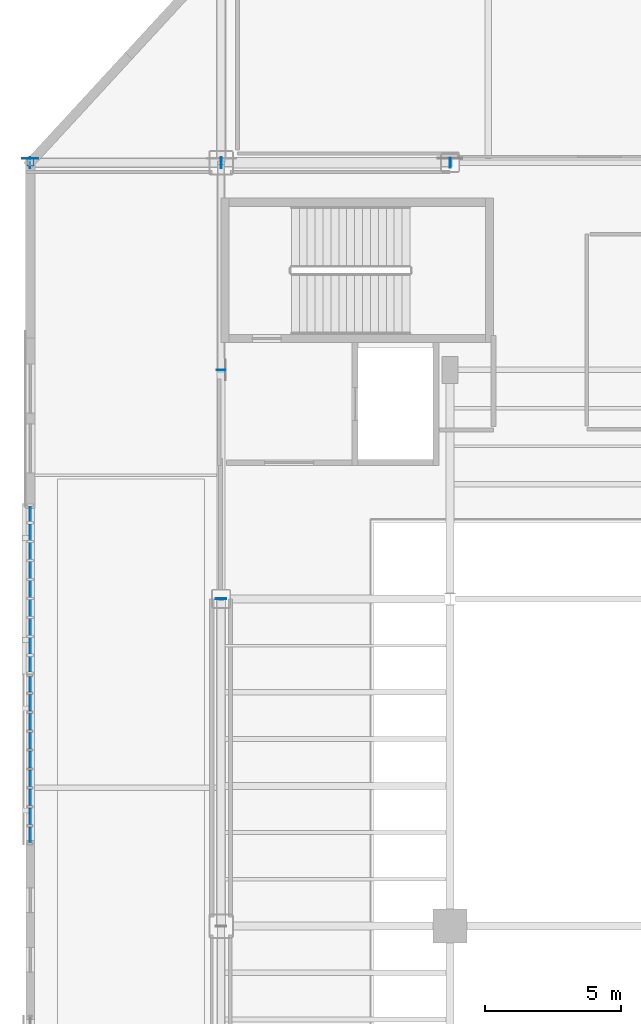
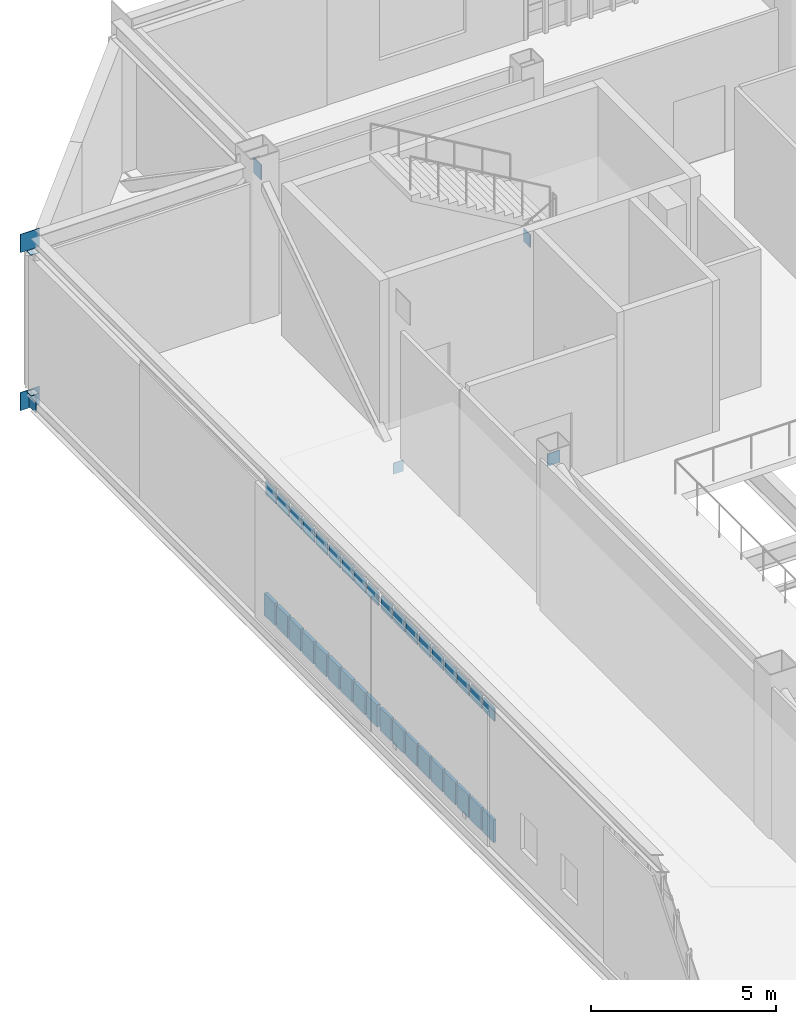
# One storey, part 96 of 127: 45 plates, 2 elements without a shape of their own.
"""IFC4 building model written with IfcOpenShell, lengths in metres."""

from ifc_helpers import new_model, si_unit, direction, frame, origin, origin_2d, place, context, subcontext, project, spatial, rectangle, extrude, material, layer, layer_set, type_object, element, aggregate, save


model = new_model("IFC4")

# Units and contexts
model_context = context("Model", 3, precision=1e-05, world=origin(), true_north=direction((0.0, 1.0)))
body_context = subcontext(model_context, "Body", "Model", "MODEL_VIEW")
ifc_project = project(units=[si_unit("LENGTHUNIT", "METRE"), si_unit("AREAUNIT", "SQUARE_METRE"), si_unit("VOLUMEUNIT", "CUBIC_METRE"), si_unit("PLANEANGLEUNIT", "RADIAN"), si_unit("MASSUNIT", "GRAM", prefix="KILO")], contexts=[model_context])

# Site, building, storey
site_placement = place(None, origin())
site = spatial("IfcSite", under=ifc_project, at=site_placement, CompositionType="ELEMENT")
building_placement = place(site_placement, origin())
building = spatial("IfcBuilding", under=site, at=building_placement, Name="Larkvane Passage Sports Hall", CompositionType="ELEMENT")
storey_placement = place(building_placement, frame((0.0, 0.0, 5.39990234375)))
storey = spatial("IfcBuildingStorey", under=building, at=storey_placement, Name="L01", CompositionType="ELEMENT", Elevation=5.39990234375)

# Curtain wall, plates
ifc_material_1 = material(Name="Thermally broken aluminium and low-E glazing", Category="aluminium")
curtain_wall_type_1 = type_object("IfcCurtainWallType", Name="CW-STICK-FOYER", PredefinedType="USERDEFINED", material=ifc_material_1)
curtain_wall_1_placement = place(storey_placement, origin())
curtain_wall_1 = element("IfcCurtainWall", 1, at=curtain_wall_1_placement, inside=storey, type_object=curtain_wall_type_1, Name="Curtain wall CW5-L01-038", ObjectType="STICK CURTAIN WALL", PredefinedType="USERDEFINED")
ifc_material_2 = material(Name="Fire-stopped shadow-box spandrel panel")
ifc_layer_1 = layer(ifc_material_2, 0.10498046875)
ifc_layer_set_1 = layer_set([ifc_layer_1], Name="Fire-stopped shadow-box spandrel panel")
plate_type_1 = type_object("IfcPlateType", Name="CWP-SPD-105", PredefinedType="CURTAIN_PANEL", material=ifc_layer_set_1)
plate_1_placement = place(storey_placement, frame((27.800048828125, 73.203857421875, 0.080078125), z_axis=(0.0, 0.0, 1.0), x_axis=(0.0, 1.0, 0.0)))
plate_1 = element("IfcPlate", 2, at=plate_1_placement, type_object=plate_type_1, Name="CW-03 panel 1.1", PredefinedType="CURTAIN_PANEL", context=body_context, shape_type="SweptSolid", body=[
    extrude(rectangle(XDim=0.574951171875, YDim=0.10498046875, at=origin_2d()), origin(), (0.0, 0.0, 1.0), 0.72998046875),
])
plate_2_placement = place(storey_placement, frame((27.800048828125, 73.87890625, 0.080078125), z_axis=(0.0, 0.0, 1.0), x_axis=(0.0, 1.0, 0.0)))
plate_2 = element("IfcPlate", 3, at=plate_2_placement, type_object=plate_type_1, Name="CW-03 panel 2.1", PredefinedType="CURTAIN_PANEL", context=body_context, shape_type="SweptSolid", body=[
    extrude(rectangle(XDim=0.614990234375, YDim=0.10498046875, at=origin_2d()), origin(), (0.0, 0.0, 1.0), 0.72998046875),
])
plate_3_placement = place(storey_placement, frame((27.800048828125, 74.57373046875, 0.080078125), z_axis=(0.0, 0.0, 1.0), x_axis=(0.0, 1.0, 0.0)))
plate_3 = element("IfcPlate", 4, at=plate_3_placement, type_object=plate_type_1, Name="CW-03 panel 3.1", PredefinedType="CURTAIN_PANEL", context=body_context, shape_type="SweptSolid", body=[
    extrude(rectangle(XDim=0.614990234375, YDim=0.10498046875, at=origin_2d()), origin(), (0.0, 0.0, 1.0), 0.72998046875),
])
plate_4_placement = place(storey_placement, frame((27.800048828125, 75.268798828125, 0.080078125), z_axis=(0.0, 0.0, 1.0), x_axis=(0.0, 1.0, 0.0)))
plate_4 = element("IfcPlate", 5, at=plate_4_placement, type_object=plate_type_1, Name="CW-03 panel 4.1", PredefinedType="CURTAIN_PANEL", context=body_context, shape_type="SweptSolid", body=[
    extrude(rectangle(XDim=0.614990234375, YDim=0.10498046875, at=origin_2d()), origin(), (0.0, 0.0, 1.0), 0.72998046875),
])
plate_5_placement = place(storey_placement, frame((27.800048828125, 75.963623046875, 0.080078125), z_axis=(0.0, 0.0, 1.0), x_axis=(0.0, 1.0, 0.0)))
plate_5 = element("IfcPlate", 6, at=plate_5_placement, type_object=plate_type_1, Name="CW-03 panel 5.1", PredefinedType="CURTAIN_PANEL", context=body_context, shape_type="SweptSolid", body=[
    extrude(rectangle(XDim=0.614990234375, YDim=0.10498046875, at=origin_2d()), origin(), (0.0, 0.0, 1.0), 0.72998046875),
])
plate_6_placement = place(storey_placement, frame((27.800048828125, 76.65869140625, 0.080078125), z_axis=(0.0, 0.0, 1.0), x_axis=(0.0, 1.0, 0.0)))
plate_6 = element("IfcPlate", 7, at=plate_6_placement, type_object=plate_type_1, Name="CW-03 panel 6.1", PredefinedType="CURTAIN_PANEL", context=body_context, shape_type="SweptSolid", body=[
    extrude(rectangle(XDim=0.614990234375, YDim=0.10498046875, at=origin_2d()), origin(), (0.0, 0.0, 1.0), 0.72998046875),
])
plate_7_placement = place(storey_placement, frame((27.800048828125, 77.353515625, 0.080078125), z_axis=(0.0, 0.0, 1.0), x_axis=(0.0, 1.0, 0.0)))
plate_7 = element("IfcPlate", 8, at=plate_7_placement, type_object=plate_type_1, Name="CW-03 panel 7.1", PredefinedType="CURTAIN_PANEL", context=body_context, shape_type="SweptSolid", body=[
    extrude(rectangle(XDim=0.614990234375, YDim=0.10498046875, at=origin_2d()), origin(), (0.0, 0.0, 1.0), 0.72998046875),
])
plate_8_placement = place(storey_placement, frame((27.800048828125, 78.048583984375, 0.080078125), z_axis=(0.0, 0.0, 1.0), x_axis=(0.0, 1.0, 0.0)))
plate_8 = element("IfcPlate", 9, at=plate_8_placement, type_object=plate_type_1, Name="CW-03 panel 8.1", PredefinedType="CURTAIN_PANEL", context=body_context, shape_type="SweptSolid", body=[
    extrude(rectangle(XDim=0.614990234375, YDim=0.10498046875, at=origin_2d()), origin(), (0.0, 0.0, 1.0), 0.72998046875),
])
plate_9_placement = place(storey_placement, frame((27.800048828125, 78.723388671875, 0.080078125), z_axis=(0.0, 0.0, 1.0), x_axis=(0.0, 1.0, 0.0)))
plate_9 = element("IfcPlate", 10, at=plate_9_placement, type_object=plate_type_1, Name="CW-03 panel 9.1", PredefinedType="CURTAIN_PANEL", context=body_context, shape_type="SweptSolid", body=[
    extrude(rectangle(XDim=0.574951171875, YDim=0.10498046875, at=origin_2d()), origin(), (0.0, 0.0, 1.0), 0.72998046875),
])

curtain_wall_type_2 = type_object("IfcCurtainWallType", Name="CW-UNIT-VEIL", PredefinedType="USERDEFINED", material=ifc_material_1)
curtain_wall_2_placement = place(storey_placement, origin())
curtain_wall_2 = element("IfcCurtainWall", 11, at=curtain_wall_2_placement, inside=storey, type_object=curtain_wall_type_2, Name="Curtain wall CW5-L01-037", ObjectType="UNITISED CURTAIN WALL", PredefinedType="USERDEFINED")
ifc_material_3 = material(Name="Mineral-wool insulated spandrel cassette")
ifc_layer_2 = layer(ifc_material_3, 0.0849609375)
ifc_layer_set_2 = layer_set([ifc_layer_2], Name="Mineral-wool insulated spandrel cassette")
plate_type_2 = type_object("IfcPlateType", Name="CWP-SPD-85", PredefinedType="CURTAIN_PANEL", material=ifc_layer_set_2)
plate_10_placement = place(storey_placement, frame((27.800048828125, 66.94677734375, 0.070068359375), z_axis=(0.0, 0.0, 1.0), x_axis=(0.0, 1.0, 0.0)))
plate_10 = element("IfcPlate", 12, at=plate_10_placement, type_object=plate_type_2, Name="CW-02 panel 1.1", PredefinedType="CURTAIN_PANEL", context=body_context, shape_type="SweptSolid", body=[
    extrude(rectangle(XDim=0.58984375, YDim=0.0849609375, at=origin_2d()), origin(), (0.0, 0.0, 1.0), 0.7451171875),
])
plate_11_placement = place(storey_placement, frame((27.800048828125, 67.624267578125, 0.070068359375), z_axis=(0.0, 0.0, 1.0), x_axis=(0.0, 1.0, 0.0)))
plate_11 = element("IfcPlate", 13, at=plate_11_placement, type_object=plate_type_2, Name="CW-02 panel 2.1", PredefinedType="CURTAIN_PANEL", context=body_context, shape_type="SweptSolid", body=[
    extrude(rectangle(XDim=0.625, YDim=0.0849609375, at=origin_2d()), origin(), (0.0, 0.0, 1.0), 0.7451171875),
])
plate_12_placement = place(storey_placement, frame((27.800048828125, 68.319091796875, 0.070068359375), z_axis=(0.0, 0.0, 1.0), x_axis=(0.0, 1.0, 0.0)))
plate_12 = element("IfcPlate", 14, at=plate_12_placement, type_object=plate_type_2, Name="CW-02 panel 3.1", PredefinedType="CURTAIN_PANEL", context=body_context, shape_type="SweptSolid", body=[
    extrude(rectangle(XDim=0.625, YDim=0.0849609375, at=origin_2d()), origin(), (0.0, 0.0, 1.0), 0.7451171875),
])
plate_13_placement = place(storey_placement, frame((27.800048828125, 69.01416015625, 0.070068359375), z_axis=(0.0, 0.0, 1.0), x_axis=(0.0, 1.0, 0.0)))
plate_13 = element("IfcPlate", 15, at=plate_13_placement, type_object=plate_type_2, Name="CW-02 panel 4.1", PredefinedType="CURTAIN_PANEL", context=body_context, shape_type="SweptSolid", body=[
    extrude(rectangle(XDim=0.625, YDim=0.0849609375, at=origin_2d()), origin(), (0.0, 0.0, 1.0), 0.7451171875),
])
plate_14_placement = place(storey_placement, frame((27.800048828125, 69.708984375, 0.070068359375), z_axis=(0.0, 0.0, 1.0), x_axis=(0.0, 1.0, 0.0)))
plate_14 = element("IfcPlate", 16, at=plate_14_placement, type_object=plate_type_2, Name="CW-02 panel 5.1", PredefinedType="CURTAIN_PANEL", context=body_context, shape_type="SweptSolid", body=[
    extrude(rectangle(XDim=0.625, YDim=0.0849609375, at=origin_2d()), origin(), (0.0, 0.0, 1.0), 0.7451171875),
])
plate_15_placement = place(storey_placement, frame((27.800048828125, 70.404052734375, 0.070068359375), z_axis=(0.0, 0.0, 1.0), x_axis=(0.0, 1.0, 0.0)))
plate_15 = element("IfcPlate", 17, at=plate_15_placement, type_object=plate_type_2, Name="CW-02 panel 6.1", PredefinedType="CURTAIN_PANEL", context=body_context, shape_type="SweptSolid", body=[
    extrude(rectangle(XDim=0.625, YDim=0.0849609375, at=origin_2d()), origin(), (0.0, 0.0, 1.0), 0.7451171875),
])
plate_16_placement = place(storey_placement, frame((27.800048828125, 71.09912109375, 0.070068359375), z_axis=(0.0, 0.0, 1.0), x_axis=(0.0, 1.0, 0.0)))
plate_16 = element("IfcPlate", 18, at=plate_16_placement, type_object=plate_type_2, Name="CW-02 panel 7.1", PredefinedType="CURTAIN_PANEL", context=body_context, shape_type="SweptSolid", body=[
    extrude(rectangle(XDim=0.625, YDim=0.0849609375, at=origin_2d()), origin(), (0.0, 0.0, 1.0), 0.7451171875),
])
plate_17_placement = place(storey_placement, frame((27.800048828125, 71.7939453125, 0.070068359375), z_axis=(0.0, 0.0, 1.0), x_axis=(0.0, 1.0, 0.0)))
plate_17 = element("IfcPlate", 19, at=plate_17_placement, type_object=plate_type_2, Name="CW-02 panel 8.1", PredefinedType="CURTAIN_PANEL", context=body_context, shape_type="SweptSolid", body=[
    extrude(rectangle(XDim=0.625, YDim=0.0849609375, at=origin_2d()), origin(), (0.0, 0.0, 1.0), 0.7451171875),
])
plate_18_placement = place(storey_placement, frame((27.800048828125, 72.471435546875, 0.070068359375), z_axis=(0.0, 0.0, 1.0), x_axis=(0.0, 1.0, 0.0)))
plate_18 = element("IfcPlate", 20, at=plate_18_placement, type_object=plate_type_2, Name="CW-02 panel 9.1", PredefinedType="CURTAIN_PANEL", context=body_context, shape_type="SweptSolid", body=[
    extrude(rectangle(XDim=0.58984375, YDim=0.0849609375, at=origin_2d()), origin(), (0.0, 0.0, 1.0), 0.7451171875),
])
ifc_material_4 = material(Name="Laminated acoustic low-E glazing", Category="glass")
ifc_layer_3 = layer(ifc_material_4, 0.031982421875)
ifc_layer_set_3 = layer_set([ifc_layer_3], Name="Laminated acoustic low-E glazing")
plate_type_3 = type_object("IfcPlateType", Name="CWP-VIS-32", PredefinedType="CURTAIN_PANEL", material=ifc_layer_set_3)
plate_19_placement = place(storey_placement, frame((27.800048828125, 66.94677734375, 4.06298828125), z_axis=(0.0, 0.0, 1.0), x_axis=(0.0, 1.0, 0.0)))
plate_19 = element("IfcPlate", 21, at=plate_19_placement, type_object=plate_type_3, Name="CW-02 panel 1.3", PredefinedType="CURTAIN_PANEL", context=body_context, shape_type="SweptSolid", body=[
    extrude(rectangle(XDim=0.58984375, YDim=0.031982421875, at=origin_2d()), origin(), (0.0, 0.0, 1.0), 0.445068359375),
])
plate_20_placement = place(storey_placement, frame((27.800048828125, 67.624267578125, 4.06298828125), z_axis=(0.0, 0.0, 1.0), x_axis=(0.0, 1.0, 0.0)))
plate_20 = element("IfcPlate", 22, at=plate_20_placement, type_object=plate_type_3, Name="CW-02 panel 2.3", PredefinedType="CURTAIN_PANEL", context=body_context, shape_type="SweptSolid", body=[
    extrude(rectangle(XDim=0.625, YDim=0.031982421875, at=origin_2d()), origin(), (0.0, 0.0, 1.0), 0.445068359375),
])
plate_21_placement = place(storey_placement, frame((27.800048828125, 68.319091796875, 4.06298828125), z_axis=(0.0, 0.0, 1.0), x_axis=(0.0, 1.0, 0.0)))
plate_21 = element("IfcPlate", 23, at=plate_21_placement, type_object=plate_type_3, Name="CW-02 panel 3.3", PredefinedType="CURTAIN_PANEL", context=body_context, shape_type="SweptSolid", body=[
    extrude(rectangle(XDim=0.625, YDim=0.031982421875, at=origin_2d()), origin(), (0.0, 0.0, 1.0), 0.445068359375),
])
plate_22_placement = place(storey_placement, frame((27.800048828125, 69.01416015625, 4.06298828125), z_axis=(0.0, 0.0, 1.0), x_axis=(0.0, 1.0, 0.0)))
plate_22 = element("IfcPlate", 24, at=plate_22_placement, type_object=plate_type_3, Name="CW-02 panel 4.3", PredefinedType="CURTAIN_PANEL", context=body_context, shape_type="SweptSolid", body=[
    extrude(rectangle(XDim=0.625, YDim=0.031982421875, at=origin_2d()), origin(), (0.0, 0.0, 1.0), 0.445068359375),
])
plate_23_placement = place(storey_placement, frame((27.800048828125, 69.708984375, 4.06298828125), z_axis=(0.0, 0.0, 1.0), x_axis=(0.0, 1.0, 0.0)))
plate_23 = element("IfcPlate", 25, at=plate_23_placement, type_object=plate_type_3, Name="CW-02 panel 5.3", PredefinedType="CURTAIN_PANEL", context=body_context, shape_type="SweptSolid", body=[
    extrude(rectangle(XDim=0.625, YDim=0.031982421875, at=origin_2d()), origin(), (0.0, 0.0, 1.0), 0.445068359375),
])
plate_24_placement = place(storey_placement, frame((27.800048828125, 70.404052734375, 4.06298828125), z_axis=(0.0, 0.0, 1.0), x_axis=(0.0, 1.0, 0.0)))
plate_24 = element("IfcPlate", 26, at=plate_24_placement, type_object=plate_type_3, Name="CW-02 panel 6.3", PredefinedType="CURTAIN_PANEL", context=body_context, shape_type="SweptSolid", body=[
    extrude(rectangle(XDim=0.625, YDim=0.031982421875, at=origin_2d()), origin(), (0.0, 0.0, 1.0), 0.445068359375),
])
plate_25_placement = place(storey_placement, frame((27.800048828125, 71.09912109375, 4.06298828125), z_axis=(0.0, 0.0, 1.0), x_axis=(0.0, 1.0, 0.0)))
plate_25 = element("IfcPlate", 27, at=plate_25_placement, type_object=plate_type_3, Name="CW-02 panel 7.3", PredefinedType="CURTAIN_PANEL", context=body_context, shape_type="SweptSolid", body=[
    extrude(rectangle(XDim=0.625, YDim=0.031982421875, at=origin_2d()), origin(), (0.0, 0.0, 1.0), 0.445068359375),
])
plate_26_placement = place(storey_placement, frame((27.800048828125, 71.7939453125, 4.06298828125), z_axis=(0.0, 0.0, 1.0), x_axis=(0.0, 1.0, 0.0)))
plate_26 = element("IfcPlate", 28, at=plate_26_placement, type_object=plate_type_3, Name="CW-02 panel 8.3", PredefinedType="CURTAIN_PANEL", context=body_context, shape_type="SweptSolid", body=[
    extrude(rectangle(XDim=0.625, YDim=0.031982421875, at=origin_2d()), origin(), (0.0, 0.0, 1.0), 0.445068359375),
])
plate_27_placement = place(storey_placement, frame((27.800048828125, 72.471435546875, 4.06298828125), z_axis=(0.0, 0.0, 1.0), x_axis=(0.0, 1.0, 0.0)))
plate_27 = element("IfcPlate", 29, at=plate_27_placement, type_object=plate_type_3, Name="CW-02 panel 9.3", PredefinedType="CURTAIN_PANEL", context=body_context, shape_type="SweptSolid", body=[
    extrude(rectangle(XDim=0.58984375, YDim=0.031982421875, at=origin_2d()), origin(), (0.0, 0.0, 1.0), 0.445068359375),
])
aggregate(curtain_wall_2, [plate_10, plate_19, plate_11, plate_20, plate_12, plate_21, plate_13, plate_22, plate_14, plate_23, plate_15, plate_24, plate_16, plate_25, plate_17, plate_26, plate_18, plate_27])

# Plate
ifc_material_5 = material(Name="High-impact court low-E glazing", Category="glass")
ifc_layer_4 = layer(ifc_material_5, 0.035888671875)
ifc_layer_set_4 = layer_set([ifc_layer_4], Name="High-impact court low-E glazing")
plate_type_4 = type_object("IfcPlateType", Name="CWP-VIS-36", PredefinedType="CURTAIN_PANEL", material=ifc_layer_set_4)
plate_28_placement = place(storey_placement, frame((27.800048828125, 73.203857421875, 4.068359375), z_axis=(0.0, 0.0, 1.0), x_axis=(0.0, 1.0, 0.0)))
plate_28 = element("IfcPlate", 30, at=plate_28_placement, type_object=plate_type_4, Name="CW-03 panel 1.3", PredefinedType="CURTAIN_PANEL", context=body_context, shape_type="SweptSolid", body=[
    extrude(rectangle(XDim=0.574951171875, YDim=0.035888671875, at=origin_2d()), origin(), (0.0, 0.0, 1.0), 0.429931640625),
])

plate_29_placement = place(storey_placement, frame((27.800048828125, 73.87890625, 4.068359375), z_axis=(0.0, 0.0, 1.0), x_axis=(0.0, 1.0, 0.0)))
plate_29 = element("IfcPlate", 31, at=plate_29_placement, type_object=plate_type_4, Name="CW-03 panel 2.3", PredefinedType="CURTAIN_PANEL", context=body_context, shape_type="SweptSolid", body=[
    extrude(rectangle(XDim=0.614990234375, YDim=0.035888671875, at=origin_2d()), origin(), (0.0, 0.0, 1.0), 0.429931640625),
])

plate_30_placement = place(storey_placement, frame((27.800048828125, 74.57373046875, 4.068359375), z_axis=(0.0, 0.0, 1.0), x_axis=(0.0, 1.0, 0.0)))
plate_30 = element("IfcPlate", 32, at=plate_30_placement, type_object=plate_type_4, Name="CW-03 panel 3.3", PredefinedType="CURTAIN_PANEL", context=body_context, shape_type="SweptSolid", body=[
    extrude(rectangle(XDim=0.614990234375, YDim=0.035888671875, at=origin_2d()), origin(), (0.0, 0.0, 1.0), 0.429931640625),
])

plate_31_placement = place(storey_placement, frame((27.800048828125, 75.268798828125, 4.068359375), z_axis=(0.0, 0.0, 1.0), x_axis=(0.0, 1.0, 0.0)))
plate_31 = element("IfcPlate", 33, at=plate_31_placement, type_object=plate_type_4, Name="CW-03 panel 4.3", PredefinedType="CURTAIN_PANEL", context=body_context, shape_type="SweptSolid", body=[
    extrude(rectangle(XDim=0.614990234375, YDim=0.035888671875, at=origin_2d()), origin(), (0.0, 0.0, 1.0), 0.429931640625),
])

plate_32_placement = place(storey_placement, frame((27.800048828125, 75.963623046875, 4.068359375), z_axis=(0.0, 0.0, 1.0), x_axis=(0.0, 1.0, 0.0)))
plate_32 = element("IfcPlate", 34, at=plate_32_placement, type_object=plate_type_4, Name="CW-03 panel 5.3", PredefinedType="CURTAIN_PANEL", context=body_context, shape_type="SweptSolid", body=[
    extrude(rectangle(XDim=0.614990234375, YDim=0.035888671875, at=origin_2d()), origin(), (0.0, 0.0, 1.0), 0.429931640625),
])

plate_33_placement = place(storey_placement, frame((27.800048828125, 76.65869140625, 4.068359375), z_axis=(0.0, 0.0, 1.0), x_axis=(0.0, 1.0, 0.0)))
plate_33 = element("IfcPlate", 35, at=plate_33_placement, type_object=plate_type_4, Name="CW-03 panel 6.3", PredefinedType="CURTAIN_PANEL", context=body_context, shape_type="SweptSolid", body=[
    extrude(rectangle(XDim=0.614990234375, YDim=0.035888671875, at=origin_2d()), origin(), (0.0, 0.0, 1.0), 0.429931640625),
])

plate_34_placement = place(storey_placement, frame((27.800048828125, 77.353515625, 4.068359375), z_axis=(0.0, 0.0, 1.0), x_axis=(0.0, 1.0, 0.0)))
plate_34 = element("IfcPlate", 36, at=plate_34_placement, type_object=plate_type_4, Name="CW-03 panel 7.3", PredefinedType="CURTAIN_PANEL", context=body_context, shape_type="SweptSolid", body=[
    extrude(rectangle(XDim=0.614990234375, YDim=0.035888671875, at=origin_2d()), origin(), (0.0, 0.0, 1.0), 0.429931640625),
])

plate_35_placement = place(storey_placement, frame((27.800048828125, 78.048583984375, 4.068359375), z_axis=(0.0, 0.0, 1.0), x_axis=(0.0, 1.0, 0.0)))
plate_35 = element("IfcPlate", 37, at=plate_35_placement, type_object=plate_type_4, Name="CW-03 panel 8.3", PredefinedType="CURTAIN_PANEL", context=body_context, shape_type="SweptSolid", body=[
    extrude(rectangle(XDim=0.614990234375, YDim=0.035888671875, at=origin_2d()), origin(), (0.0, 0.0, 1.0), 0.429931640625),
])

plate_36_placement = place(storey_placement, frame((27.800048828125, 78.723388671875, 4.068359375), z_axis=(0.0, 0.0, 1.0), x_axis=(0.0, 1.0, 0.0)))
plate_36 = element("IfcPlate", 38, at=plate_36_placement, type_object=plate_type_4, Name="CW-03 panel 9.3", PredefinedType="CURTAIN_PANEL", context=body_context, shape_type="SweptSolid", body=[
    extrude(rectangle(XDim=0.574951171875, YDim=0.035888671875, at=origin_2d()), origin(), (0.0, 0.0, 1.0), 0.429931640625),
])

aggregate(curtain_wall_1, [plate_1, plate_28, plate_2, plate_29, plate_3, plate_30, plate_4, plate_31, plate_5, plate_32, plate_6, plate_33, plate_7, plate_34, plate_8, plate_35, plate_9, plate_36])

# Plates
ifc_material_6 = material(Name="Steel S355JR", Category="steel")
ifc_layer_5 = layer(ifc_material_6, 0.011962890625)
ifc_layer_set_5 = layer_set([ifc_layer_5], Name="Steel S355JR")
plate_type_5 = type_object("IfcPlateType", Name="PLT-CAP-12", PredefinedType="SHEET", material=ifc_layer_set_5)
for number, where, z_axis, x_axis, name in (
    (39, (27.800048828125, 91.60009765625, -0.24169921875), (0.0, 0.0, 1.0), (1.0, 0.0, 0.0), "Hollow section sealed end cap plate 0087"),
    (40, (27.800048828125, 91.60009765625, 4.39208984375), (0.0, 0.0, 1.0), (1.0, 0.0, 0.0), "Hollow section sealed end cap plate 0088"),
):
    element("IfcPlate", number, at=place(storey_placement, frame(where, z_axis=z_axis, x_axis=x_axis)), inside=storey, type_object=plate_type_5, Name=name, PredefinedType="SHEET", context=body_context, shape_type="SweptSolid", body=[
        extrude(rectangle(XDim=0.239990234375, YDim=0.239990234375, at=origin_2d()), origin(), (0.0, 0.0, 1.0), 0.011962890625),
    ])
plate_37_placement = place(storey_placement, frame((34.800048828125, 83.9951171875, -0.708984375), z_axis=(0.0, 0.0, 1.0), x_axis=(-1.0, 0.0, 0.0)))
element("IfcPlate", 41, at=plate_37_placement, inside=storey, type_object=plate_type_5, Name="Hollow section sealed end cap plate 0127", PredefinedType="SHEET", context=body_context, shape_type="SweptSolid", body=[
    extrude(rectangle(XDim=0.31005859375, YDim=0.028076171875, at=origin_2d()), origin(), (0.0, 0.0, 1.0), 0.363037109375),
])
ifc_material_7 = material(Name="Steel S460N", Category="steel")
ifc_layer_6 = layer(ifc_material_7, 0.02001953125)
ifc_layer_set_6 = layer_set([ifc_layer_6], Name="Steel S460N")
plate_type_6 = type_object("IfcPlateType", Name="PLT-CAP-20", PredefinedType="SHEET", material=ifc_layer_set_6)
for number, where, z_axis, x_axis, name in (
    (42, (27.7919921875, 91.60009765625, -0.77783203125), (0.0, 0.0, 1.0), (0.0, 1.0, 0.0), "Hollow section sealed end cap plate 0084"),
    (43, (34.80810546875, 91.60009765625, 4.444091796875), (0.0, 0.0, 1.0), (0.0, 1.0, 0.0), "Hollow section sealed end cap plate 0085"),
):
    element("IfcPlate", number, at=place(storey_placement, frame(where, z_axis=z_axis, x_axis=x_axis)), inside=storey, type_object=plate_type_6, Name=name, PredefinedType="SHEET", context=body_context, shape_type="SweptSolid", body=[
        extrude(rectangle(XDim=0.409912109375, YDim=0.028076171875, at=origin_2d()), origin(), (0.0, 0.0, 1.0), 0.49609375),
    ])
plate_38_placement = place(storey_placement, frame((43.20849609375, 91.60009765625, -0.73583984375), z_axis=(0.0, 0.0, 1.0), x_axis=(0.0, 1.0, 0.0)))
element("IfcPlate", 44, at=plate_38_placement, inside=storey, type_object=plate_type_6, Name="Hollow section sealed end cap plate 0086", PredefinedType="SHEET", context=body_context, shape_type="SweptSolid", body=[
    extrude(rectangle(XDim=0.360107421875, YDim=0.028076171875, at=origin_2d()), origin(), (0.0, 0.0, 1.0), 0.4130859375),
])
plate_39_placement = place(storey_placement, frame((34.800048828125, 75.609375, 4.65283203125), z_axis=(0.0, 0.0, 1.0), x_axis=(-1.0, 0.0, 0.0)))
element("IfcPlate", 45, at=plate_39_placement, inside=storey, type_object=plate_type_6, Name="Hollow section sealed end cap plate 0567", PredefinedType="SHEET", context=body_context, shape_type="SweptSolid", body=[
    extrude(rectangle(XDim=0.37890625, YDim=0.028076171875, at=origin_2d()), origin(), (0.0, 0.0, 1.0), 0.402099609375),
])
ifc_layer_7 = layer(ifc_material_7, 0.01611328125)
ifc_layer_set_7 = layer_set([ifc_layer_7], Name="Steel S460N")
plate_type_7 = type_object("IfcPlateType", Name="PLT-GUS-16", PredefinedType="USERDEFINED", material=ifc_layer_set_7)
for number, where, z_axis, x_axis, name in (
    (46, (27.800048828125, 91.758056640625, -0.823974609375), (0.0, 0.0, 1.0), (1.0, 0.0, 0.0), "Truss node gusset plate ND-1B (CT-W1A-2)"),
    (47, (27.800048828125, 91.758056640625, 4.385986328125), (0.0, 0.0, 1.0), (1.0, 0.0, 0.0), "Truss node gusset plate ND-1T (CT-W1A-2)"),
):
    element("IfcPlate", number, at=place(storey_placement, frame(where, z_axis=z_axis, x_axis=x_axis)), inside=storey, type_object=plate_type_7, Name=name, ObjectType="GUSSET PLATE", PredefinedType="USERDEFINED", context=body_context, shape_type="SweptSolid", body=[
        extrude(rectangle(XDim=0.60009765625, YDim=0.01611328125, at=origin_2d()), origin(), (0.0, 0.0, 1.0), 0.60009765625),
    ])

save(model, "model.ifc")
